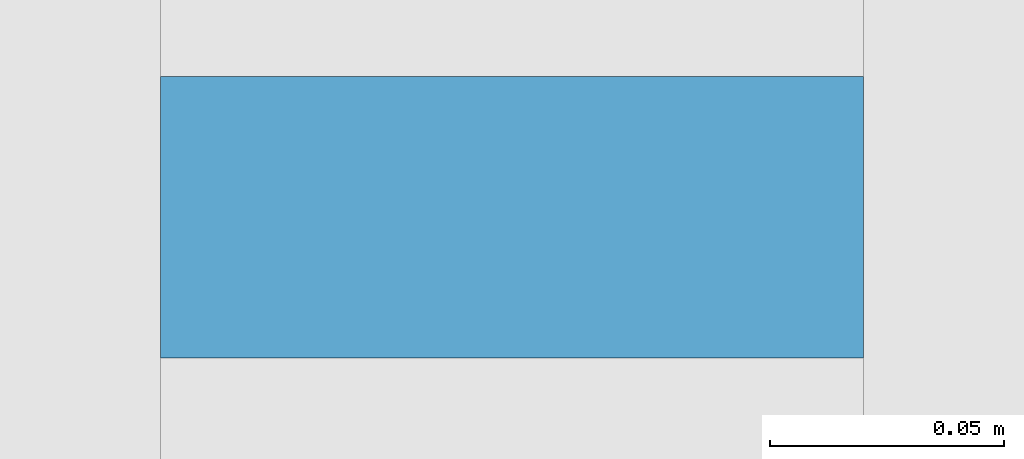
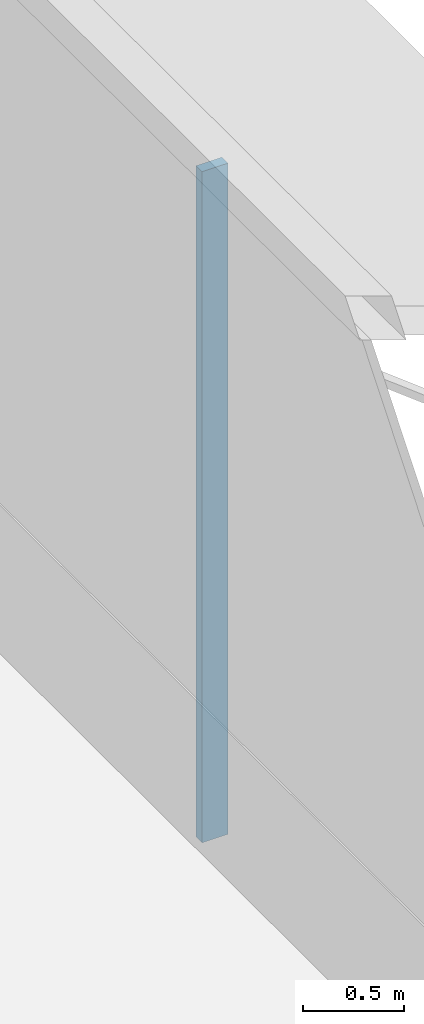
# One storey, part 13 of 23: 1 member, 1 element without a shape of its own.
"""IFC4 building model written with IfcOpenShell, lengths in metres."""

from ifc_helpers import new_model, si_unit, direction, frame, origin, origin_2d, place, context, subcontext, project, spatial, rectangle, extrude, source, transform, mapped, material, layer, layer_set, material_profile, profile_set, type_object, element, aggregate, save


model = new_model("IFC4")

# Units and contexts
model_context = context("Model", 3, precision=1e-05, world=origin(), true_north=direction((0.0, 1.0)))
body_context = subcontext(model_context, "Body", "Model", "MODEL_VIEW")
ifc_project = project(units=[si_unit("LENGTHUNIT", "METRE"), si_unit("AREAUNIT", "SQUARE_METRE"), si_unit("VOLUMEUNIT", "CUBIC_METRE"), si_unit("PLANEANGLEUNIT", "RADIAN"), si_unit("MASSUNIT", "GRAM", prefix="KILO")], contexts=[model_context])

# Site, building, storey
site_placement = place(None, origin())
site = spatial("IfcSite", under=ifc_project, at=site_placement, CompositionType="ELEMENT")
building_placement = place(site_placement, origin())
building = spatial("IfcBuilding", under=site, at=building_placement, Name="Trellis Farm Tower", CompositionType="ELEMENT")
storey_placement = place(building_placement, frame((0.0, 0.0, 83.5)))
storey = spatial("IfcBuildingStorey", under=building, at=storey_placement, Name="L17", CompositionType="ELEMENT", Elevation=83.5)

# Curtain wall, member
ifc_material_1 = material(Name="Aluminium and glass curtain wall", Category="aluminium")
ifc_layer = layer(ifc_material_1, 0.18994140625)
ifc_layer_set = layer_set([ifc_layer], Name="RIBBON CURTAIN WALL CW1")
curtain_wall_type = type_object("IfcCurtainWallType", Name="RIBBON CURTAIN WALL CW1", PredefinedType="NOTDEFINED", material=ifc_layer_set)
curtain_wall_placement = place(storey_placement, origin())
curtain_wall = element("IfcCurtainWall", 1, at=curtain_wall_placement, inside=storey, type_object=curtain_wall_type, Name="CW1 006", PredefinedType="NOTDEFINED")
ifc_material_2 = material(Name="Aluminium extrusion 6063-T6", Category="aluminium")
ifc_material_profile = material_profile(ifc_material_2, rectangle(XDim=0.06005859375, YDim=0.14990234375, at=origin_2d()), Name="MULLION 60x150")
ifc_profile_set = profile_set([ifc_material_profile], Name="Aluminium extrusion 6063-T6")
member_type = type_object("IfcMemberType", Name="CW1 MULLION 60x150", PredefinedType="MULLION", material=ifc_profile_set)
shared_shape = source(origin(), body_context, "Body", "SweptSolid", [
    extrude(rectangle(XDim=0.06005859375, YDim=0.14990234375, at=origin_2d()), origin(), (0.0, 0.0, 1.0), 4.070068359375),
])
member_placement = place(storey_placement, frame((32.425048828125, 0.0, 0.0), z_axis=(0.0, 0.0, 1.0), x_axis=(0.0, 1.0, 0.0)))
member = element("IfcMember", 2, at=member_placement, type_object=member_type, Name="MU1 006-01", PredefinedType="MULLION", context=body_context, shape_type="MappedRepresentation", body=[
    mapped(shared_shape, transform((0.0, 0.0, 0.0))),
])
aggregate(curtain_wall, [member])

save(model, "model.ifc")
